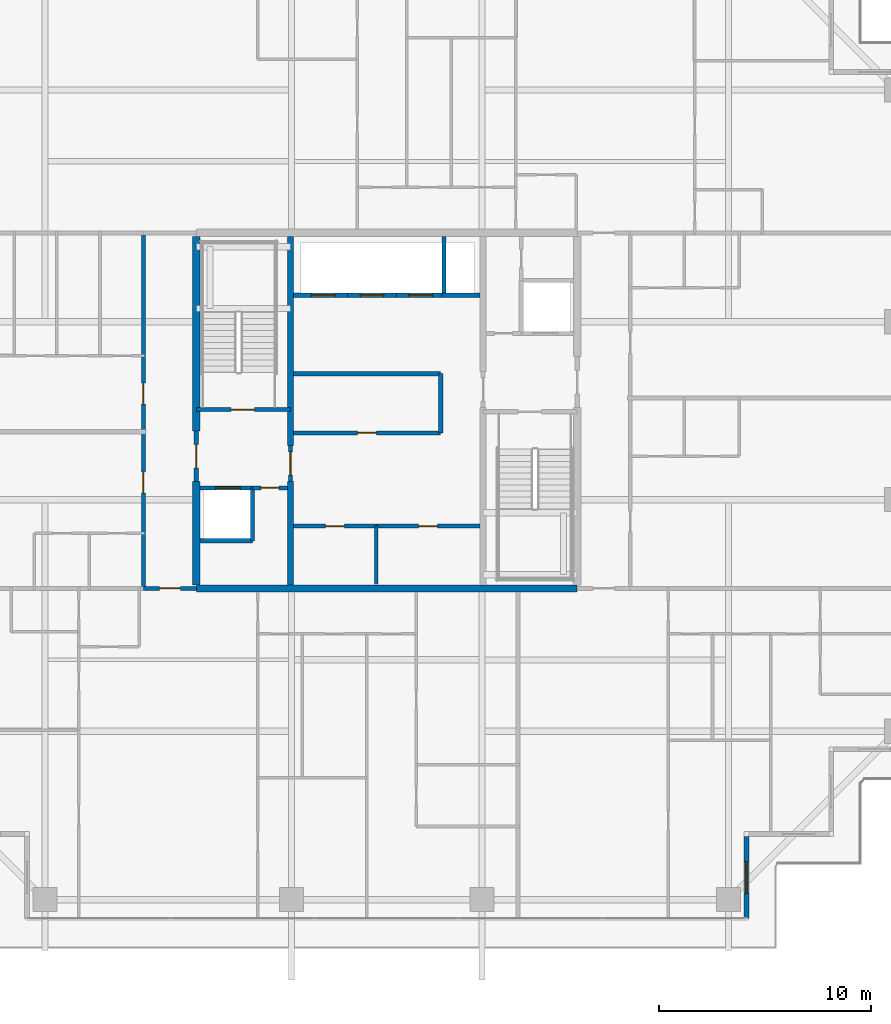
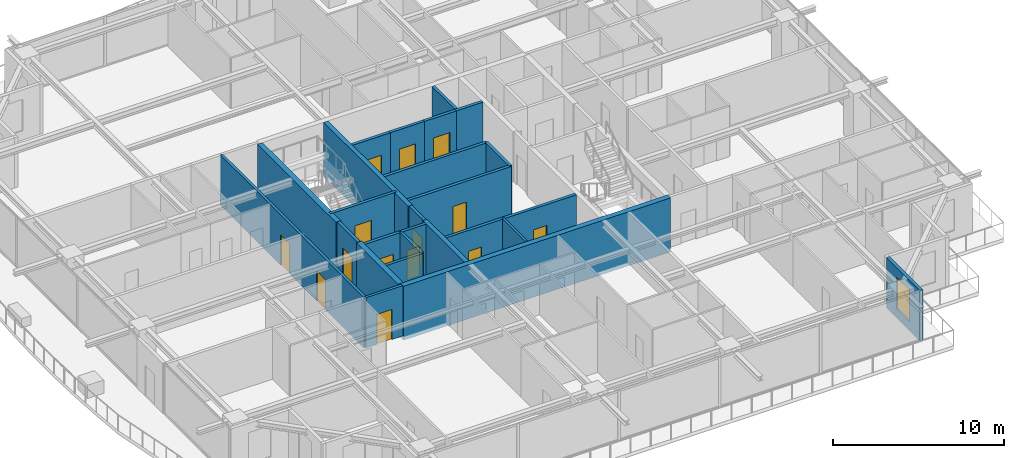
# One storey, part 28 of 38: 26 walls, 14 doors, 1 window, 15 openings.
"""IFC4 building model written with IfcOpenShell, lengths in metres."""

from ifc_helpers import new_model, si_unit, direction, frame, frame_2d, origin, place, context, subcontext, project, spatial, rectangle, extrude, source, transform, mapped, material, layer, layer_set, type_object, element, fill, save


model = new_model("IFC4")

# Units and contexts
model_context = context("Model", 3, precision=1e-05, world=origin(), true_north=direction((0.0, 1.0)))
body_context = subcontext(model_context, "Body", "Model", "MODEL_VIEW")
ifc_project = project(units=[si_unit("LENGTHUNIT", "METRE"), si_unit("AREAUNIT", "SQUARE_METRE"), si_unit("VOLUMEUNIT", "CUBIC_METRE"), si_unit("PLANEANGLEUNIT", "RADIAN"), si_unit("MASSUNIT", "GRAM", prefix="KILO")], contexts=[model_context])

# Site, building, storey
site_placement = place(None, origin())
site = spatial("IfcSite", under=ifc_project, at=site_placement, CompositionType="ELEMENT")
building_placement = place(site_placement, origin())
building = spatial("IfcBuilding", under=site, at=building_placement, Name="Serunith Strait Residences", CompositionType="ELEMENT")
storey_placement = place(building_placement, frame((0.0, 0.0, 268.199951171875)))
storey = spatial("IfcBuildingStorey", under=building, at=storey_placement, Name="L67", CompositionType="ELEMENT", Elevation=268.199951171875)

# Wall, opening, window
ifc_material_1 = material(Name="Pale-Champagne Aluminium Insulated Panel", Category="aluminium")
ifc_layer_1 = layer(ifc_material_1, 0.219970703125, Name="Pale-Champagne Aluminium Insulated Panel")
ifc_layer_set_1 = layer_set([ifc_layer_1], Name="Pale-Champagne Aluminium Insulated Panel")
wall_type_1 = type_object("IfcWallType", Name="EW-ALUM-220", PredefinedType="ELEMENTEDWALL", material=ifc_layer_set_1)
wall_1_placement = place(storey_placement, frame((49.39990234375, 1.199951171875, 0.0), z_axis=(0.0, 0.0, 1.0), x_axis=(0.0, 1.0, 0.0)))
wall_1 = element("IfcWall", 1, at=wall_1_placement, inside=storey, type_object=wall_type_1, Name="L67 Girih Serrated Corner Wall 02", PredefinedType="ELEMENTEDWALL", context=body_context, shape_type="SweptSolid", body=[
    extrude(rectangle(XDim=3.89013671875, YDim=0.219970703125, at=frame_2d((1.945068359375, 0.0))), origin(), (0.0, 0.0, 1.0), 3.574951171875),
])
opening_1_placement = place(wall_1_placement, frame((1.195068359375, 0.0, 0.64990234375)))
opening_1 = element("IfcOpeningElement", 2, at=opening_1_placement, cuts=wall_1, Name="Opening W-05", PredefinedType="OPENING", context=body_context, shape_type="SweptSolid", body=[
    extrude(rectangle(XDim=1.5, YDim=2.25, at=frame_2d((0.75, 1.125))), frame((0.0, 0.1201171875, 0.0), z_axis=(0.0, -1.0, 0.0), x_axis=(1.0, 0.0, 0.0)), (0.0, 0.0, 1.0), 0.239990234375),
])
ifc_material_2 = material(Name="Ceramic-Fritted Operable Aluminium Window Glass", Category="aluminium")
window_type = type_object("IfcWindowType", Name="WIN-C5", PartitioningType="DOUBLE_PANEL_VERTICAL", PredefinedType="WINDOW", material=ifc_material_2)
shared_shape_1 = source(origin(), body_context, "Body", "SweptSolid", [
    extrude(rectangle(XDim=1.5, YDim=2.25, at=frame_2d((0.75, 1.125))), frame((0.0, 0.030029296875, 0.0), z_axis=(0.0, -1.0, 0.0), x_axis=(1.0, 0.0, 0.0)), (0.0, 0.0, 1.0), 0.06005859375),
])
window_placement = place(opening_1_placement, origin())
window = element("IfcWindow", 3, at=window_placement, inside=storey, type_object=window_type, Name="L67 Corner Operable Fritted Window 02", OverallHeight=2.25, OverallWidth=1.5, PartitioningType="SINGLE_PANEL", PredefinedType="WINDOW", context=body_context, shape_type="MappedRepresentation", body=[
    mapped(shared_shape_1, transform((0.0, 0.0, 0.0), scale=1.0)),
])
fill(opening_1, window)

# Wall
ifc_material_3 = material(Name="Fire-rated masonry service closet wall", Category="masonry")
ifc_layer_2 = layer(ifc_material_3, 0.14990234375, Name="Fire-rated masonry service closet wall")
ifc_layer_set_2 = layer_set([ifc_layer_2], Name="Fire-rated masonry service closet wall")
wall_type_2 = type_object("IfcWallType", Name="IW-BOH-150", PredefinedType="PARTITIONING", material=ifc_layer_set_2)
wall_2_placement = place(storey_placement, frame((31.89990234375, 17.02001953125, 0.0), z_axis=(0.0, 0.0, 1.0), x_axis=(0.0, 1.0, 0.0)))
element("IfcWall", 4, at=wall_2_placement, inside=storey, type_object=wall_type_2, Name="L67 Partition Wall 014", PredefinedType="PARTITIONING", context=body_context, shape_type="SweptSolid", body=[
    extrude(rectangle(XDim=2.72998046875, YDim=0.14990234375, at=frame_2d((1.364990234375, 0.0))), origin(), (0.0, 0.0, 1.0), 3.590087890625),
])

# Wall, opening, door
ifc_material_4 = material(Name="Fire-rated acoustic gypsum partition")
ifc_layer_3 = layer(ifc_material_4, 0.179931640625, Name="Fire-rated acoustic gypsum partition")
ifc_layer_set_3 = layer_set([ifc_layer_3], Name="Fire-rated acoustic gypsum partition")
wall_type_3 = type_object("IfcWallType", Name="IW-CORR-180", PredefinedType="PARTITIONING", material=ifc_layer_set_3)
wall_3_placement = place(storey_placement, frame((20.902099609375, 16.800048828125, 0.0), z_axis=(0.0, 0.0, 1.0), x_axis=(1.0, 0.0, 0.0)))
wall_3 = element("IfcWall", 5, at=wall_3_placement, inside=storey, type_object=wall_type_3, Name="L67 Partition Wall 025", PredefinedType="PARTITIONING", context=body_context, shape_type="SweptSolid", body=[
    extrude(rectangle(XDim=2.495849609375, YDim=0.179931640625, at=frame_2d((1.248046875, 0.0))), origin(), (0.0, 0.0, 1.0), 3.590087890625),
])
opening_2_placement = place(wall_3_placement, frame((0.748046875, 0.0, 0.0)))
opening_2 = element("IfcOpeningElement", 6, at=opening_2_placement, cuts=wall_3, Name="Opening D-APT1000", PredefinedType="OPENING", context=body_context, shape_type="SweptSolid", body=[
    extrude(rectangle(XDim=1.0, YDim=2.14990234375, at=frame_2d((0.5, 1.074951171875))), frame((0.0, 0.10009765625, 0.0), z_axis=(0.0, -1.0, 0.0), x_axis=(1.0, 0.0, 0.0)), (0.0, 0.0, 1.0), 0.199951171875),
])
ifc_material_5 = material(Name="Solid timber engineered fire door", Category="wood")
door_type_1 = type_object("IfcDoorType", Name="ID-APT-1000", OperationType="NOTDEFINED", PredefinedType="DOOR", material=ifc_material_5)
shared_shape_2 = source(origin(), body_context, "Body", "SweptSolid", [
    extrude(rectangle(XDim=1.0, YDim=2.14990234375, at=frame_2d((0.5, 1.074951171875))), frame((0.0, 0.02490234375, 0.0), z_axis=(0.0, -1.0, 0.0), x_axis=(1.0, 0.0, 0.0)), (0.0, 0.0, 1.0), 0.050048828125),
])
door_1_placement = place(opening_2_placement, origin())
door_1 = element("IfcDoor", 7, at=door_1_placement, inside=storey, type_object=door_type_1, Name="L67 Unit 01 Entrance Door", OperationType="SINGLE_SWING_RIGHT", OverallHeight=2.14990234375, OverallWidth=1.0, PredefinedType="DOOR", context=body_context, shape_type="MappedRepresentation", body=[
    mapped(shared_shape_2, transform((0.0, 0.0, 0.0), scale=1.0)),
])
fill(opening_2, door_1)

# Wall, openings, doors
wall_4_placement = place(storey_placement, frame((20.89990234375, 16.800048828125, 0.0), z_axis=(0.0, 0.0, 1.0), x_axis=(0.0, 1.0, 0.0)))
wall_4 = element("IfcWall", 8, at=wall_4_placement, inside=storey, type_object=wall_type_3, Name="L67 Partition Wall 027", PredefinedType="PARTITIONING", context=body_context, shape_type="SweptSolid", body=[
    extrude(rectangle(XDim=16.800048828125, YDim=0.179931640625, at=frame_2d((8.39990234375, 0.0))), origin(), (0.0, 0.0, 1.0), 3.590087890625),
])
opening_3_placement = place(wall_4_placement, frame((4.5029296875, 0.0, 0.0)))
opening_3 = element("IfcOpeningElement", 9, at=opening_3_placement, cuts=wall_4, Name="Opening D-APT1000", PredefinedType="OPENING", context=body_context, shape_type="SweptSolid", body=[
    extrude(rectangle(XDim=1.0, YDim=2.14990234375, at=frame_2d((0.5, 1.074951171875))), frame((0.0, 0.10009765625, 0.0), z_axis=(0.0, -1.0, 0.0), x_axis=(1.0, 0.0, 0.0)), (0.0, 0.0, 1.0), 0.199951171875),
])
opening_4_placement = place(wall_4_placement, frame((8.7060546875, 0.0, 0.0)))
opening_4 = element("IfcOpeningElement", 10, at=opening_4_placement, cuts=wall_4, Name="Opening D-APT1000", PredefinedType="OPENING", context=body_context, shape_type="SweptSolid", body=[
    extrude(rectangle(XDim=1.0, YDim=2.14990234375, at=frame_2d((0.5, 1.074951171875))), frame((0.0, 0.10009765625, 0.0), z_axis=(0.0, -1.0, 0.0), x_axis=(1.0, 0.0, 0.0)), (0.0, 0.0, 1.0), 0.199951171875),
])
door_2_placement = place(opening_3_placement, origin())
door_2 = element("IfcDoor", 11, at=door_2_placement, inside=storey, type_object=door_type_1, Name="L67 Unit 04 Entrance Door", OperationType="SINGLE_SWING_LEFT", OverallHeight=2.14990234375, OverallWidth=1.0, PredefinedType="DOOR", context=body_context, shape_type="MappedRepresentation", body=[
    mapped(shared_shape_2, transform((0.0, 0.0, 0.0), scale=1.0)),
])
fill(opening_3, door_2)
door_3_placement = place(opening_4_placement, origin())
door_3 = element("IfcDoor", 12, at=door_3_placement, inside=storey, type_object=door_type_1, Name="L67 Unit 05 Entrance Door", OperationType="SINGLE_SWING_RIGHT", OverallHeight=2.14990234375, OverallWidth=1.0, PredefinedType="DOOR", context=body_context, shape_type="MappedRepresentation", body=[
    mapped(shared_shape_2, transform((0.0, 0.0, 0.0), scale=1.0)),
])
fill(opening_4, door_3)

# Wall, opening, door
ifc_material_6 = material(Name="Autoclaved aerated concrete blockwork", Category="masonry")
ifc_layer_4 = layer(ifc_material_6, 0.199951171875, Name="Autoclaved aerated concrete blockwork")
ifc_layer_set_4 = layer_set([ifc_layer_4], Name="Autoclaved aerated concrete blockwork")
wall_type_4 = type_object("IfcWallType", Name="IW-SHAFT-200", PredefinedType="STANDARD", material=ifc_layer_set_4)
wall_5_placement = place(storey_placement, frame((23.39990234375, 25.25, 0.0), z_axis=(0.0, 0.0, 1.0), x_axis=(1.0, 0.0, 0.0)))
wall_5 = element("IfcWall", 13, at=wall_5_placement, inside=storey, type_object=wall_type_4, Name="L67 ST-1 South Shaft Wall", PredefinedType="STANDARD", context=body_context, shape_type="SweptSolid", body=[
    extrude(rectangle(XDim=4.4501953125, YDim=0.199951171875, at=frame_2d((2.22509765625, 0.0))), origin(), (0.0, 0.0, 1.0), 3.590087890625),
])
opening_5_placement = place(wall_5_placement, frame((1.64990234375, 0.0, 0.0)))
opening_5 = element("IfcOpeningElement", 14, at=opening_5_placement, cuts=wall_5, Name="Opening FD-1100", PredefinedType="OPENING", context=body_context, shape_type="SweptSolid", body=[
    extrude(rectangle(XDim=1.10009765625, YDim=2.14990234375, at=frame_2d((0.550048828125, 1.074951171875))), frame((0.0, 0.10986328125, 0.0), z_axis=(0.0, -1.0, 0.0), x_axis=(1.0, 0.0, 0.0)), (0.0, 0.0, 1.0), 0.219970703125),
])
ifc_material_7 = material(Name="Galvanised steel fire door leaf", Category="steel")
door_type_2 = type_object("IfcDoorType", Name="FD-STAIR-1100", OperationType="NOTDEFINED", PredefinedType="DOOR", material=ifc_material_7)
shared_shape_3 = source(origin(), body_context, "Body", "SweptSolid", [
    extrude(rectangle(XDim=1.10009765625, YDim=2.14990234375, at=frame_2d((0.550048828125, 1.074951171875))), frame((0.0, 0.02490234375, 0.0), z_axis=(0.0, -1.0, 0.0), x_axis=(1.0, 0.0, 0.0)), (0.0, 0.0, 1.0), 0.050048828125),
])
door_4_placement = place(opening_5_placement, origin())
door_4 = element("IfcDoor", 15, at=door_4_placement, inside=storey, type_object=door_type_2, Name="L67 ST-1 Escape Stair Door", OperationType="SINGLE_SWING_LEFT", OverallHeight=2.14990234375, OverallWidth=1.10009765625, PredefinedType="DOOR", context=body_context, shape_type="MappedRepresentation", body=[
    mapped(shared_shape_3, transform((0.0, 0.0, 0.0), scale=1.0)),
])
fill(opening_5, door_4)

wall_6_placement = place(storey_placement, frame((23.574951171875, 21.550048828125, 0.0), z_axis=(0.0, 0.0, 1.0), x_axis=(1.0, 0.0, 0.0)))
wall_6 = element("IfcWall", 16, at=wall_6_placement, inside=storey, type_object=wall_type_4, Name="L67 FL-1 North Shaft Wall", PredefinedType="STANDARD", context=body_context, shape_type="SweptSolid", body=[
    extrude(rectangle(XDim=2.47509765625, YDim=0.199951171875, at=frame_2d((1.237548828125, 0.0))), origin(), (0.0, 0.0, 1.0), 3.590087890625),
])
opening_6_placement = place(wall_6_placement, frame((0.72509765625, 0.0, 0.0)))
opening_6 = element("IfcOpeningElement", 17, at=opening_6_placement, cuts=wall_6, Name="Opening LD-FF1200", PredefinedType="OPENING", context=body_context, shape_type="SweptSolid", body=[
    extrude(rectangle(XDim=1.199951171875, YDim=2.199951171875, at=frame_2d((0.60009765625, 1.10009765625))), frame((0.0, 0.10986328125, 0.0), z_axis=(0.0, -1.0, 0.0), x_axis=(1.0, 0.0, 0.0)), (0.0, 0.0, 1.0), 0.219970703125),
])
ifc_material_8 = material(Name="Brushed stainless steel landing door", Category="steel")
door_type_3 = type_object("IfcDoorType", Name="LD-FF-1200", OperationType="DOUBLE_DOOR_SLIDING", PredefinedType="DOOR", material=ifc_material_8)
shared_shape_4 = source(origin(), body_context, "Body", "SweptSolid", [
    extrude(rectangle(XDim=1.199951171875, YDim=2.199951171875, at=frame_2d((0.60009765625, 1.10009765625))), frame((0.0, 0.02490234375, 0.0), z_axis=(0.0, -1.0, 0.0), x_axis=(1.0, 0.0, 0.0)), (0.0, 0.0, 1.0), 0.050048828125),
])
door_5_placement = place(opening_6_placement, origin())
door_5 = element("IfcDoor", 18, at=door_5_placement, inside=storey, type_object=door_type_3, Name="L67 FL-1 Landing Door", OperationType="DOUBLE_DOOR_SLIDING", OverallHeight=2.199951171875, OverallWidth=1.199951171875, PredefinedType="DOOR", context=body_context, shape_type="MappedRepresentation", body=[
    mapped(shared_shape_4, transform((0.0, 0.0, 0.0), scale=1.0)),
])
fill(opening_6, door_5)

wall_7_placement = place(storey_placement, frame((28.0, 30.64990234375, 0.0), z_axis=(0.0, 0.0, 1.0), x_axis=(1.0, 0.0, 0.0)))
wall_7 = element("IfcWall", 19, at=wall_7_placement, inside=storey, type_object=wall_type_4, Name="L67 PL-7 South Shaft Wall", PredefinedType="STANDARD", context=body_context, shape_type="SweptSolid", body=[
    extrude(rectangle(XDim=2.550048828125, YDim=0.199951171875, at=frame_2d((1.27490234375, 0.0))), origin(), (0.0, 0.0, 1.0), 3.590087890625),
])
opening_7_placement = place(wall_7_placement, frame((0.85009765625, 0.0, 0.0)))
opening_7 = element("IfcOpeningElement", 20, at=opening_7_placement, cuts=wall_7, Name="Opening LD-1100", PredefinedType="OPENING", context=body_context, shape_type="SweptSolid", body=[
    extrude(rectangle(XDim=1.10009765625, YDim=2.199951171875, at=frame_2d((0.550048828125, 1.10009765625))), frame((0.0, 0.10986328125, 0.0), z_axis=(0.0, -1.0, 0.0), x_axis=(1.0, 0.0, 0.0)), (0.0, 0.0, 1.0), 0.219970703125),
])
ifc_material_9 = material(Name="Pale-champagne stainless landing door")
door_type_4 = type_object("IfcDoorType", Name="LD-LIFT-1100", OperationType="DOUBLE_DOOR_SLIDING", PredefinedType="DOOR", material=ifc_material_9)
shared_shape_5 = source(origin(), body_context, "Body", "SweptSolid", [
    extrude(rectangle(XDim=1.10009765625, YDim=2.199951171875, at=frame_2d((0.550048828125, 1.10009765625))), frame((0.0, 0.02490234375, 0.0), z_axis=(0.0, -1.0, 0.0), x_axis=(1.0, 0.0, 0.0)), (0.0, 0.0, 1.0), 0.050048828125),
])
door_6_placement = place(opening_7_placement, origin())
door_6 = element("IfcDoor", 21, at=door_6_placement, inside=storey, type_object=door_type_4, Name="L67 PL-7 Landing Door", OperationType="DOUBLE_DOOR_SLIDING", OverallHeight=2.199951171875, OverallWidth=1.10009765625, PredefinedType="DOOR", context=body_context, shape_type="MappedRepresentation", body=[
    mapped(shared_shape_5, transform((0.0, 0.0, 0.0), scale=1.0)),
])
fill(opening_7, door_6)

wall_8_placement = place(storey_placement, frame((30.550048828125, 30.64990234375, 0.0), z_axis=(0.0, 0.0, 1.0), x_axis=(1.0, 0.0, 0.0)))
wall_8 = element("IfcWall", 22, at=wall_8_placement, inside=storey, type_object=wall_type_4, Name="L67 PL-8 South Shaft Wall", PredefinedType="STANDARD", context=body_context, shape_type="SweptSolid", body=[
    extrude(rectangle(XDim=2.300048828125, YDim=0.199951171875, at=frame_2d((1.14990234375, 0.0))), origin(), (0.0, 0.0, 1.0), 3.590087890625),
])
opening_8_placement = place(wall_8_placement, frame((0.60009765625, 0.0, 0.0)))
opening_8 = element("IfcOpeningElement", 23, at=opening_8_placement, cuts=wall_8, Name="Opening LD-1100", PredefinedType="OPENING", context=body_context, shape_type="SweptSolid", body=[
    extrude(rectangle(XDim=1.10009765625, YDim=2.199951171875, at=frame_2d((0.550048828125, 1.10009765625))), frame((0.0, 0.10986328125, 0.0), z_axis=(0.0, -1.0, 0.0), x_axis=(1.0, 0.0, 0.0)), (0.0, 0.0, 1.0), 0.219970703125),
])
door_7_placement = place(opening_8_placement, origin())
door_7 = element("IfcDoor", 24, at=door_7_placement, inside=storey, type_object=door_type_4, Name="L67 PL-8 Landing Door", OperationType="DOUBLE_DOOR_SLIDING", OverallHeight=2.199951171875, OverallWidth=1.10009765625, PredefinedType="DOOR", context=body_context, shape_type="MappedRepresentation", body=[
    mapped(shared_shape_5, transform((0.0, 0.0, 0.0), scale=1.0)),
])
fill(opening_8, door_7)

wall_9_placement = place(storey_placement, frame((32.85009765625, 30.64990234375, 0.0), z_axis=(0.0, 0.0, 1.0), x_axis=(1.0, 0.0, 0.0)))
wall_9 = element("IfcWall", 25, at=wall_9_placement, inside=storey, type_object=wall_type_4, Name="L67 PL-9 South Shaft Wall", PredefinedType="STANDARD", context=body_context, shape_type="SweptSolid", body=[
    extrude(rectangle(XDim=2.14990234375, YDim=0.199951171875, at=frame_2d((1.074951171875, 0.0))), origin(), (0.0, 0.0, 1.0), 3.590087890625),
])
opening_9_placement = place(wall_9_placement, frame((0.60009765625, 0.0, 0.0)))
opening_9 = element("IfcOpeningElement", 26, at=opening_9_placement, cuts=wall_9, Name="Opening LD-1100", PredefinedType="OPENING", context=body_context, shape_type="SweptSolid", body=[
    extrude(rectangle(XDim=1.10009765625, YDim=2.199951171875, at=frame_2d((0.550048828125, 1.10009765625))), frame((0.0, 0.10986328125, 0.0), z_axis=(0.0, -1.0, 0.0), x_axis=(1.0, 0.0, 0.0)), (0.0, 0.0, 1.0), 0.219970703125),
])
door_8_placement = place(opening_9_placement, origin())
door_8 = element("IfcDoor", 27, at=door_8_placement, inside=storey, type_object=door_type_4, Name="L67 PL-9 Landing Door", OperationType="DOUBLE_DOOR_SLIDING", OverallHeight=2.199951171875, OverallWidth=1.10009765625, PredefinedType="DOOR", context=body_context, shape_type="MappedRepresentation", body=[
    mapped(shared_shape_5, transform((0.0, 0.0, 0.0), scale=1.0)),
])
fill(opening_9, door_8)

# Walls
wall_10_placement = place(storey_placement, frame((35.0, 30.64990234375, 0.0), z_axis=(0.0, 0.0, 1.0), x_axis=(1.0, 0.0, 0.0)))
element("IfcWall", 28, at=wall_10_placement, inside=storey, type_object=wall_type_4, Name="L67 SL-1 South Shaft Wall", PredefinedType="STANDARD", context=body_context, shape_type="SweptSolid", body=[
    extrude(rectangle(XDim=1.800048828125, YDim=0.199951171875, at=frame_2d((0.89990234375, 0.0))), origin(), (0.0, 0.0, 1.0), 3.590087890625),
])
wall_11_placement = place(storey_placement, frame((35.10009765625, 30.75, 0.0), z_axis=(0.0, 0.0, 1.0), x_axis=(0.0, 1.0, 0.0)))
element("IfcWall", 29, at=wall_11_placement, inside=storey, type_object=wall_type_4, Name="L67 SL-1 West Shaft Wall", PredefinedType="STANDARD", context=body_context, shape_type="SweptSolid", body=[
    extrude(rectangle(XDim=2.675048828125, YDim=0.199951171875, at=frame_2d((1.33740234375, 0.0))), origin(), (0.0, 0.0, 1.0), 3.590087890625),
])
wall_12_placement = place(storey_placement, frame((26.050048828125, 19.050048828125, 0.0), z_axis=(0.0, 0.0, 1.0), x_axis=(0.0, 1.0, 0.0)))
element("IfcWall", 30, at=wall_12_placement, inside=storey, type_object=wall_type_4, Name="L67 Partition Wall 001", PredefinedType="STANDARD", context=body_context, shape_type="SweptSolid", body=[
    extrude(rectangle(XDim=2.5, YDim=0.199951171875, at=frame_2d((1.25, 0.0))), origin(), (0.0, 0.0, 1.0), 3.590087890625),
])
wall_13_placement = place(storey_placement, frame((23.574951171875, 19.050048828125, 0.0), z_axis=(0.0, 0.0, 1.0), x_axis=(1.0, 0.0, 0.0)))
element("IfcWall", 31, at=wall_13_placement, inside=storey, type_object=wall_type_4, Name="L67 Partition Wall 002", PredefinedType="STANDARD", context=body_context, shape_type="SweptSolid", body=[
    extrude(rectangle(XDim=2.47509765625, YDim=0.199951171875, at=frame_2d((1.237548828125, 0.0))), origin(), (0.0, 0.0, 1.0), 3.590087890625),
])

# Wall, opening, door
wall_14_placement = place(storey_placement, frame((26.052001953125, 21.550048828125, 0.0), z_axis=(0.0, 0.0, 1.0), x_axis=(1.0, 0.0, 0.0)))
wall_14 = element("IfcWall", 32, at=wall_14_placement, inside=storey, type_object=wall_type_4, Name="L67 Partition Wall 003", PredefinedType="STANDARD", context=body_context, shape_type="SweptSolid", body=[
    extrude(rectangle(XDim=1.64794921875, YDim=0.199951171875, at=frame_2d((0.823974609375, 0.0))), origin(), (0.0, 0.0, 1.0), 3.590087890625),
])
opening_10_placement = place(wall_14_placement, frame((0.39892578125, 0.0, 0.0)))
opening_10 = element("IfcOpeningElement", 33, at=opening_10_placement, cuts=wall_14, Name="Opening FD-850", PredefinedType="OPENING", context=body_context, shape_type="SweptSolid", body=[
    extrude(rectangle(XDim=0.85009765625, YDim=2.10009765625, at=frame_2d((0.425048828125, 1.050048828125))), frame((0.0, 0.10986328125, 0.0), z_axis=(0.0, -1.0, 0.0), x_axis=(1.0, 0.0, 0.0)), (0.0, 0.0, 1.0), 0.219970703125),
])
ifc_material_10 = material(Name="Powder-coated steel service closet door", Category="steel")
door_type_5 = type_object("IfcDoorType", Name="FD-BOH-850", OperationType="NOTDEFINED", PredefinedType="DOOR", material=ifc_material_10)
shared_shape_6 = source(origin(), body_context, "Body", "SweptSolid", [
    extrude(rectangle(XDim=0.85009765625, YDim=2.10009765625, at=frame_2d((0.425048828125, 1.050048828125))), frame((0.0, 0.02490234375, 0.0), z_axis=(0.0, -1.0, 0.0), x_axis=(1.0, 0.0, 0.0)), (0.0, 0.0, 1.0), 0.050048828125),
])
door_9_placement = place(opening_10_placement, origin())
door_9 = element("IfcDoor", 34, at=door_9_placement, inside=storey, type_object=door_type_5, Name="L67 South-West Core Service Door", OperationType="SINGLE_SWING_RIGHT", OverallHeight=2.10009765625, OverallWidth=0.85009765625, PredefinedType="DOOR", context=body_context, shape_type="MappedRepresentation", body=[
    mapped(shared_shape_6, transform((0.0, 0.0, 0.0), scale=1.0)),
])
fill(opening_10, door_9)

wall_15_placement = place(storey_placement, frame((23.39990234375, 21.85205078125, 0.0), z_axis=(0.0, 0.0, 1.0), x_axis=(0.0, 1.0, 0.0)))
wall_15 = element("IfcWall", 35, at=wall_15_placement, inside=storey, type_object=wall_type_4, Name="L67 Partition Wall 007", PredefinedType="STANDARD", context=body_context, shape_type="SweptSolid", body=[
    extrude(rectangle(XDim=2.39599609375, YDim=0.199951171875, at=frame_2d((1.197998046875, 0.0))), origin(), (0.0, 0.0, 1.0), 3.590087890625),
])
opening_11_placement = place(wall_15_placement, frame((0.64794921875, 0.0, 0.0)))
opening_11 = element("IfcOpeningElement", 36, at=opening_11_placement, cuts=wall_15, Name="Opening FD-FFL", PredefinedType="OPENING", context=body_context, shape_type="SweptSolid", body=[
    extrude(rectangle(XDim=1.10009765625, YDim=2.14990234375, at=frame_2d((0.550048828125, 1.074951171875))), frame((0.0, 0.10986328125, 0.0), z_axis=(0.0, -1.0, 0.0), x_axis=(1.0, 0.0, 0.0)), (0.0, 0.0, 1.0), 0.219970703125),
])
ifc_material_11 = material(Name="Glazed steel smoke-lobby fire door", Category="steel")
door_type_6 = type_object("IfcDoorType", Name="FD-FFL-1100", OperationType="NOTDEFINED", PredefinedType="DOOR", material=ifc_material_11)
door_10_placement = place(opening_11_placement, origin())
door_10 = element("IfcDoor", 37, at=door_10_placement, inside=storey, type_object=door_type_6, Name="L67 FFL-1 Corridor Fire Door", OperationType="SINGLE_SWING_RIGHT", OverallHeight=2.14990234375, OverallWidth=1.10009765625, PredefinedType="DOOR", context=body_context, shape_type="MappedRepresentation", body=[
    mapped(shared_shape_3, transform((0.0, 0.0, 0.0), scale=1.0)),
])
fill(opening_11, door_10)

wall_16_placement = place(storey_placement, frame((27.85009765625, 21.85205078125, 0.0), z_axis=(0.0, 0.0, 1.0), x_axis=(0.0, 1.0, 0.0)))
wall_16 = element("IfcWall", 38, at=wall_16_placement, inside=storey, type_object=wall_type_4, Name="L67 Partition Wall 009", PredefinedType="STANDARD", context=body_context, shape_type="SweptSolid", body=[
    extrude(rectangle(XDim=1.696044921875, YDim=0.199951171875, at=frame_2d((0.84814453125, 0.0))), origin(), (0.0, 0.0, 1.0), 3.590087890625),
])
opening_12_placement = place(wall_16_placement, frame((0.298095703125, 0.0, 0.0)))
opening_12 = element("IfcOpeningElement", 39, at=opening_12_placement, cuts=wall_16, Name="Opening FD-FFL", PredefinedType="OPENING", context=body_context, shape_type="SweptSolid", body=[
    extrude(rectangle(XDim=1.10009765625, YDim=2.14990234375, at=frame_2d((0.550048828125, 1.074951171875))), frame((0.0, 0.10986328125, 0.0), z_axis=(0.0, -1.0, 0.0), x_axis=(1.0, 0.0, 0.0)), (0.0, 0.0, 1.0), 0.219970703125),
])
door_11_placement = place(opening_12_placement, origin())
door_11 = element("IfcDoor", 40, at=door_11_placement, inside=storey, type_object=door_type_6, Name="L67 FFL-1 Lift Lobby Door", OperationType="SINGLE_SWING_RIGHT", OverallHeight=2.14990234375, OverallWidth=1.10009765625, PredefinedType="DOOR", context=body_context, shape_type="MappedRepresentation", body=[
    mapped(shared_shape_3, transform((0.0, 0.0, 0.0), scale=1.0)),
])
fill(opening_12, door_11)

wall_17_placement = place(storey_placement, frame((28.0, 19.75, 0.0), z_axis=(0.0, 0.0, 1.0), x_axis=(1.0, 0.0, 0.0)))
wall_17 = element("IfcWall", 41, at=wall_17_placement, inside=storey, type_object=wall_type_4, Name="L67 Partition Wall 012", PredefinedType="STANDARD", context=body_context, shape_type="SweptSolid", body=[
    extrude(rectangle(XDim=3.89990234375, YDim=0.199951171875, at=frame_2d((1.949951171875, 0.0))), origin(), (0.0, 0.0, 1.0), 3.590087890625),
])
opening_13_placement = place(wall_17_placement, frame((1.5, 0.0, 0.0)))
opening_13 = element("IfcOpeningElement", 42, at=opening_13_placement, cuts=wall_17, Name="Opening FD-900", PredefinedType="OPENING", context=body_context, shape_type="SweptSolid", body=[
    extrude(rectangle(XDim=0.89990234375, YDim=2.10009765625, at=frame_2d((0.449951171875, 1.050048828125))), frame((0.0, 0.10986328125, 0.0), z_axis=(0.0, -1.0, 0.0), x_axis=(1.0, 0.0, 0.0)), (0.0, 0.0, 1.0), 0.219970703125),
])
ifc_material_12 = material(Name="Powder-coated steel riser door", Category="steel")
door_type_7 = type_object("IfcDoorType", Name="FD-BOH-900", OperationType="NOTDEFINED", PredefinedType="DOOR", material=ifc_material_12)
shared_shape_7 = source(origin(), body_context, "Body", "SweptSolid", [
    extrude(rectangle(XDim=0.89990234375, YDim=2.10009765625, at=frame_2d((0.449951171875, 1.050048828125))), frame((0.0, 0.02490234375, 0.0), z_axis=(0.0, -1.0, 0.0), x_axis=(1.0, 0.0, 0.0)), (0.0, 0.0, 1.0), 0.050048828125),
])
door_12_placement = place(opening_13_placement, origin())
door_12 = element("IfcDoor", 43, at=door_12_placement, inside=storey, type_object=door_type_7, Name="L67 Housekeeping Store Door", OperationType="SINGLE_SWING_LEFT", OverallHeight=2.10009765625, OverallWidth=0.89990234375, PredefinedType="DOOR", context=body_context, shape_type="MappedRepresentation", body=[
    mapped(shared_shape_7, transform((0.0, 0.0, 0.0), scale=1.0)),
])
fill(opening_13, door_12)

wall_18_placement = place(storey_placement, frame((31.902099609375, 19.75, 0.0), z_axis=(0.0, 0.0, 1.0), x_axis=(1.0, 0.0, 0.0)))
wall_18 = element("IfcWall", 44, at=wall_18_placement, inside=storey, type_object=wall_type_4, Name="L67 Partition Wall 013", PredefinedType="STANDARD", context=body_context, shape_type="SweptSolid", body=[
    extrude(rectangle(XDim=4.89794921875, YDim=0.199951171875, at=frame_2d((2.448974609375, 0.0))), origin(), (0.0, 0.0, 1.0), 3.590087890625),
])
opening_14_placement = place(wall_18_placement, frame((1.9990234375, 0.0, 0.0)))
opening_14 = element("IfcOpeningElement", 45, at=opening_14_placement, cuts=wall_18, Name="Opening FD-900", PredefinedType="OPENING", context=body_context, shape_type="SweptSolid", body=[
    extrude(rectangle(XDim=0.89990234375, YDim=2.10009765625, at=frame_2d((0.449951171875, 1.050048828125))), frame((0.0, 0.10986328125, 0.0), z_axis=(0.0, -1.0, 0.0), x_axis=(1.0, 0.0, 0.0)), (0.0, 0.0, 1.0), 0.219970703125),
])
door_13_placement = place(opening_14_placement, origin())
door_13 = element("IfcDoor", 46, at=door_13_placement, inside=storey, type_object=door_type_7, Name="L67 High-Rise Meter Door", OperationType="SINGLE_SWING_RIGHT", OverallHeight=2.10009765625, OverallWidth=0.89990234375, PredefinedType="DOOR", context=body_context, shape_type="MappedRepresentation", body=[
    mapped(shared_shape_7, transform((0.0, 0.0, 0.0), scale=1.0)),
])
fill(opening_14, door_13)

# Walls
wall_19_placement = place(storey_placement, frame((28.0, 26.949951171875, 0.0), z_axis=(0.0, 0.0, 1.0), x_axis=(1.0, 0.0, 0.0)))
element("IfcWall", 47, at=wall_19_placement, inside=storey, type_object=wall_type_4, Name="L67 Partition Wall 015", PredefinedType="STANDARD", context=body_context, shape_type="SweptSolid", body=[
    extrude(rectangle(XDim=6.949951171875, YDim=0.199951171875, at=frame_2d((3.47509765625, 0.0))), origin(), (0.0, 0.0, 1.0), 3.590087890625),
])
wall_20_placement = place(storey_placement, frame((34.949951171875, 24.14990234375, 0.0), z_axis=(0.0, 0.0, 1.0), x_axis=(0.0, 1.0, 0.0)))
element("IfcWall", 48, at=wall_20_placement, inside=storey, type_object=wall_type_4, Name="L67 Partition Wall 016", PredefinedType="STANDARD", context=body_context, shape_type="SweptSolid", body=[
    extrude(rectangle(XDim=2.800048828125, YDim=0.199951171875, at=frame_2d((1.39990234375, 0.0))), origin(), (0.0, 0.0, 1.0), 3.590087890625),
])

# Wall, opening, door
wall_21_placement = place(storey_placement, frame((28.0, 24.14990234375, 0.0), z_axis=(0.0, 0.0, 1.0), x_axis=(1.0, 0.0, 0.0)))
wall_21 = element("IfcWall", 49, at=wall_21_placement, inside=storey, type_object=wall_type_4, Name="L67 Partition Wall 017", PredefinedType="STANDARD", context=body_context, shape_type="SweptSolid", body=[
    extrude(rectangle(XDim=6.949951171875, YDim=0.199951171875, at=frame_2d((3.47509765625, 0.0))), origin(), (0.0, 0.0, 1.0), 3.590087890625),
])
opening_15_placement = place(wall_21_placement, frame((3.02490234375, 0.0, 0.0)))
opening_15 = element("IfcOpeningElement", 50, at=opening_15_placement, cuts=wall_21, Name="Opening FD-900", PredefinedType="OPENING", context=body_context, shape_type="SweptSolid", body=[
    extrude(rectangle(XDim=0.89990234375, YDim=2.10009765625, at=frame_2d((0.449951171875, 1.050048828125))), frame((0.0, 0.10986328125, 0.0), z_axis=(0.0, -1.0, 0.0), x_axis=(1.0, 0.0, 0.0)), (0.0, 0.0, 1.0), 0.219970703125),
])
door_14_placement = place(opening_15_placement, origin())
door_14 = element("IfcDoor", 51, at=door_14_placement, inside=storey, type_object=door_type_7, Name="L67 Heat Exchanger Plant Door", OperationType="SINGLE_SWING_LEFT", OverallHeight=2.10009765625, OverallWidth=0.89990234375, PredefinedType="DOOR", context=body_context, shape_type="MappedRepresentation", body=[
    mapped(shared_shape_7, transform((0.0, 0.0, 0.0), scale=1.0)),
])
fill(opening_15, door_14)

# Walls
ifc_material_13 = material(Name="Concrete C60/75", Category="concrete")
ifc_layer_5 = layer(ifc_material_13, 0.300048828125, Name="Concrete C60/75")
ifc_layer_set_5 = layer_set([ifc_layer_5], Name="Concrete C60/75")
wall_type_5 = type_object("IfcWallType", Name="SW-300-C60", PredefinedType="SHEAR", material=ifc_layer_set_5)
wall_22_placement = place(storey_placement, frame((27.85009765625, 16.97509765625, -0.260009765625), z_axis=(0.0, 0.0, 1.0), x_axis=(0.0, 1.0, 0.0)))
element("IfcWall", 52, at=wall_22_placement, inside=storey, type_object=wall_type_5, Name="L67 Core Internal West Web South Pier", PredefinedType="SHEAR", context=body_context, shape_type="SweptSolid", body=[
    extrude(rectangle(XDim=4.875, YDim=0.300048828125, at=frame_2d((2.4375, 0.0))), origin(), (0.0, 0.0, 1.0), 3.84814453125),
])
wall_23_placement = place(storey_placement, frame((27.85009765625, 23.550048828125, -0.260009765625), z_axis=(0.0, 0.0, 1.0), x_axis=(0.0, 1.0, 0.0)))
element("IfcWall", 53, at=wall_23_placement, inside=storey, type_object=wall_type_5, Name="L67 Core Internal West Web North Pier", PredefinedType="SHEAR", context=body_context, shape_type="SweptSolid", body=[
    extrude(rectangle(XDim=9.875, YDim=0.300048828125, at=frame_2d((4.9375, 0.0))), origin(), (0.0, 0.0, 1.0), 3.84814453125),
])
ifc_layer_6 = layer(ifc_material_13, 0.35009765625, Name="Concrete C60/75")
ifc_layer_set_6 = layer_set([ifc_layer_6], Name="Concrete C60/75")
wall_type_6 = type_object("IfcWallType", Name="SW-350-C60", PredefinedType="SHEAR", material=ifc_layer_set_6)
wall_24_placement = place(storey_placement, frame((23.39990234375, 16.800048828125, -0.260009765625), z_axis=(0.0, 0.0, 1.0), x_axis=(1.0, 0.0, 0.0)))
element("IfcWall", 54, at=wall_24_placement, inside=storey, type_object=wall_type_6, Name="L67 Core South Shear Wall", PredefinedType="SHEAR", context=body_context, shape_type="SweptSolid", body=[
    extrude(rectangle(XDim=18.0, YDim=0.35009765625, at=frame_2d((9.0, 0.0))), origin(), (0.0, 0.0, 1.0), 3.84814453125),
])
wall_25_placement = place(storey_placement, frame((23.39990234375, 16.97509765625, -0.260009765625), z_axis=(0.0, 0.0, 1.0), x_axis=(0.0, 1.0, 0.0)))
element("IfcWall", 55, at=wall_25_placement, inside=storey, type_object=wall_type_6, Name="L67 Core West Shear Wall South Pier", PredefinedType="SHEAR", context=body_context, shape_type="SweptSolid", body=[
    extrude(rectangle(XDim=4.875, YDim=0.35009765625, at=frame_2d((2.4375, 0.0))), origin(), (0.0, 0.0, 1.0), 3.84814453125),
])
wall_26_placement = place(storey_placement, frame((23.39990234375, 24.25, -0.260009765625), z_axis=(0.0, 0.0, 1.0), x_axis=(0.0, 1.0, 0.0)))
element("IfcWall", 56, at=wall_26_placement, inside=storey, type_object=wall_type_6, Name="L67 Core West Shear Wall North Pier", PredefinedType="SHEAR", context=body_context, shape_type="SweptSolid", body=[
    extrude(rectangle(XDim=9.175048828125, YDim=0.35009765625, at=frame_2d((4.58740234375, 0.0))), origin(), (0.0, 0.0, 1.0), 3.84814453125),
])

save(model, "model.ifc")
